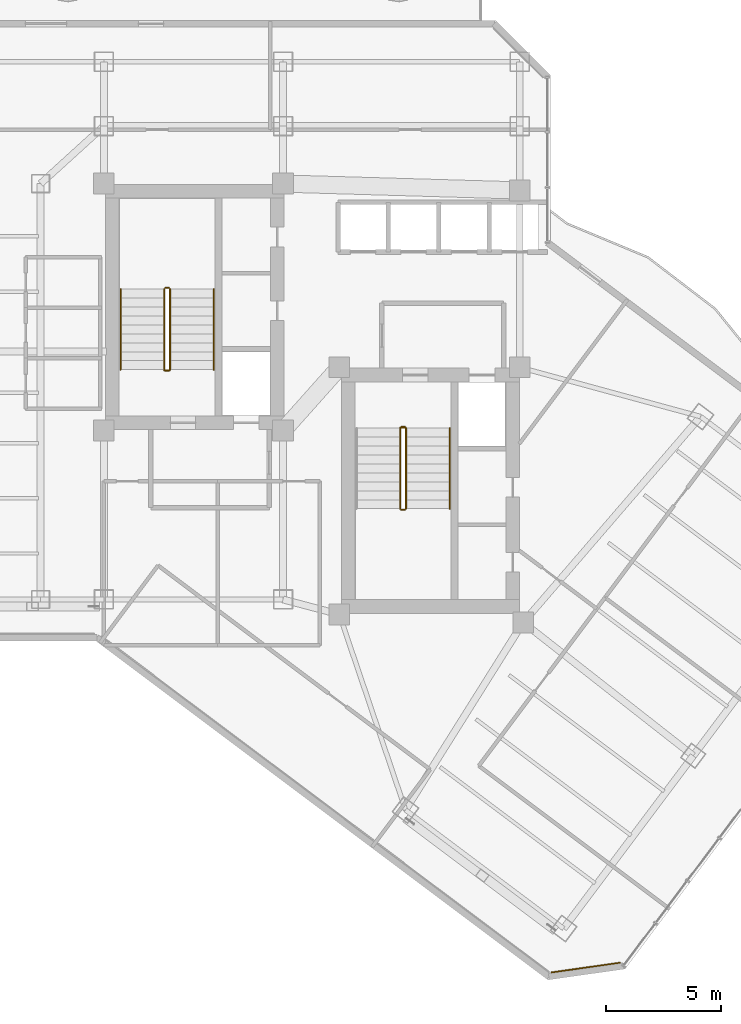
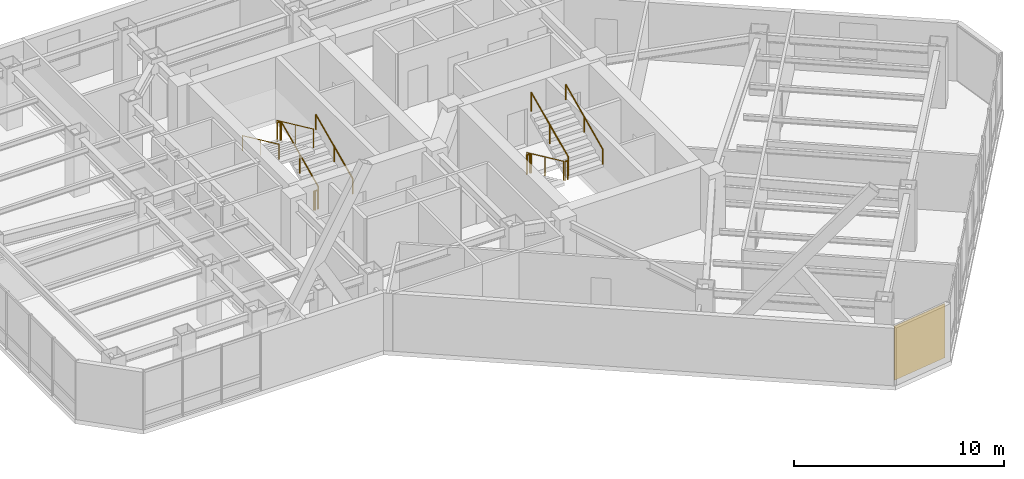
# One storey, part 26 of 27: 13 railings, 1 covering.
"""IFC4 building model written with IfcOpenShell, lengths in metres."""

import ifcopenshell
import ifcopenshell.guid

model = None  # the IFC model being written
_history = None  # IfcOwnerHistory: only IFC2X3 demands one
_inside = {}  # id of a spatial element -> (the spatial element, [elements in it])
_under = {}  # id of a project, library or spatial element -> (it, [spatial elements below it])
_declared = {}  # id of a project -> (the project, [libraries it declares])
_typed = {}  # id of a type object -> (the type object, [elements of that type])
_made_of = {}  # id of a material, layer set ... -> (it, [elements and type objects made of it])


def new_model(schema):
    """Start an empty IFC model of exactly this schema.

    Asked for "IFC4X3", IfcOpenShell would pick the latest addendum, in which some entities
    have other attributes; the version numbers below select the first issue.
    IFC2X3 requires an IfcOwnerHistory on every rooted entity: one is made here for all.
    """
    global model, _history
    if schema == "IFC4X3":
        model = ifcopenshell.file(schema_version=(4, 3, 0, 0))
    else:
        model = ifcopenshell.file(schema=schema)
    _inside.clear()
    _under.clear()
    _declared.clear()
    _typed.clear()
    _made_of.clear()
    _history = None
    if model.schema == "IFC2X3":
        org = make("IfcOrganization", Name="unknown")
        user = make(
            "IfcPersonAndOrganization",
            ThePerson=make("IfcPerson", FamilyName="unknown"),
            TheOrganization=org,
        )
        app = make(
            "IfcApplication",
            ApplicationDeveloper=org,
            Version="unknown",
            ApplicationFullName="unknown",
            ApplicationIdentifier="unknown",
        )
        _history = make(
            "IfcOwnerHistory",
            OwningUser=user,
            OwningApplication=app,
            ChangeAction="ADDED",
            CreationDate=0,
        )
    return model


def make(cls, **values):
    """One entity of the class cls with the attributes given. An attribute that is None is left unset."""
    return model.create_entity(
        cls, **{name: value for name, value in values.items() if value is not None}
    )


def rooted(cls, **values):
    """An entity with a GlobalId (a new one), such as an element, a storey or a relation."""
    return make(cls, GlobalId=ifcopenshell.guid.new(), OwnerHistory=_history, **values)


def si_unit(unit_type, name, prefix=None):
    """IfcSIUnit, for example si_unit("LENGTHUNIT", "METRE", prefix="MILLI")."""
    return make("IfcSIUnit", UnitType=unit_type, Prefix=prefix, Name=name)


def assignment(units):
    """IfcUnitAssignment: the units of a project."""
    return None if units is None else make("IfcUnitAssignment", Units=units)


def point(xyz):
    """IfcCartesianPoint."""
    return None if xyz is None else make("IfcCartesianPoint", Coordinates=xyz)


def direction(xyz):
    """IfcDirection."""
    return None if xyz is None else make("IfcDirection", DirectionRatios=xyz)


def frame(location, z_axis=None, x_axis=None):
    """IfcAxis2Placement3D, a coordinate frame: its origin and axes. An axis left out is left unset."""
    return make(
        "IfcAxis2Placement3D",
        Location=point(location),
        Axis=direction(z_axis),
        RefDirection=direction(x_axis),
    )


def frame_2d(location, x_axis=None):
    """IfcAxis2Placement2D, a coordinate frame in the plane: its origin and x axis."""
    return make(
        "IfcAxis2Placement2D", Location=point(location), RefDirection=direction(x_axis)
    )


def origin():
    """The frame at (0, 0, 0) with its axes left unset."""
    return frame((0.0, 0.0, 0.0))


def origin_2d():
    """The frame at (0, 0) in the plane with its x axis left unset."""
    return frame_2d((0.0, 0.0))


def place(relative_to, where):
    """IfcLocalPlacement: puts the frame where relative to a parent placement (None: the world)."""
    return make(
        "IfcLocalPlacement", PlacementRelTo=relative_to, RelativePlacement=where
    )


def context(
    kind, dimensions, precision=None, world=None, true_north=None, identifier=None
):
    """IfcGeometricRepresentationContext, for example the 3D "Model" context."""
    return make(
        "IfcGeometricRepresentationContext",
        ContextIdentifier=identifier,
        ContextType=kind,
        CoordinateSpaceDimension=dimensions,
        Precision=precision,
        WorldCoordinateSystem=world,
        TrueNorth=true_north,
    )


def subcontext(parent, identifier, kind, view, scale=None):
    """IfcGeometricRepresentationSubContext, for example "Body" below "Model"."""
    return make(
        "IfcGeometricRepresentationSubContext",
        ContextIdentifier=identifier,
        ContextType=kind,
        ParentContext=parent,
        TargetScale=scale,
        TargetView=view,
    )


def project(units=None, contexts=None):
    """IfcProject with its units and contexts."""
    return rooted(
        "IfcProject",
        Name="project",
        RepresentationContexts=contexts,
        UnitsInContext=assignment(units),
    )


def spatial(cls, under=None, at=None, **own):
    """A site, building, storey or space (cls), placed at a placement, below another one or the project."""
    s = rooted(cls, ObjectPlacement=at, **own)
    if under is not None:
        _under.setdefault(under.id(), (under, []))[1].append(s)
    return s


def profile(cls, at=None, kind="AREA", **sizes):
    """A parametric profile (cls). Its sizes go by their IFC names, for example OverallWidth=200.0."""
    return make(cls, ProfileType=kind, Position=at, **sizes)


def rectangle(**sizes):
    """IfcRectangleProfileDef."""
    return profile("IfcRectangleProfileDef", **sizes)


def circle(**sizes):
    """IfcCircleProfileDef."""
    return profile("IfcCircleProfileDef", **sizes)


def extrude(swept, where, along, depth):
    """IfcExtrudedAreaSolid: the profile swept, set in the frame where, extruded along a direction by depth."""
    return make(
        "IfcExtrudedAreaSolid",
        SweptArea=swept,
        Position=where,
        ExtrudedDirection=direction(along),
        Depth=depth,
    )


def shape(context_of_items, identifier, shape_type, items):
    """IfcShapeRepresentation: the items that make up one representation, for example the "Body"."""
    return make(
        "IfcShapeRepresentation",
        ContextOfItems=context_of_items,
        RepresentationIdentifier=identifier,
        RepresentationType=shape_type,
        Items=items,
    )


def material(Name=None, Category=None):
    """IfcMaterial."""
    return make("IfcMaterial", Name=Name, Category=Category)


def layer(
    of_material, thickness, ventilated=None, Name=None, Category=None, Priority=None
):
    """IfcMaterialLayer: one layer of a wall or slab, of a material (None: an air gap)."""
    return make(
        "IfcMaterialLayer",
        Material=of_material,
        LayerThickness=thickness,
        IsVentilated=ventilated,
        Name=Name,
        Category=Category,
        Priority=Priority,
    )


def layer_set(layers, Name=None):
    """IfcMaterialLayerSet."""
    return make("IfcMaterialLayerSet", MaterialLayers=layers, LayerSetName=Name)


def made_of(thing, what):
    """Note that an element or type object is made of a material, layer set ...; save() writes the relation."""
    if what is not None:
        _made_of.setdefault(what.id(), (what, []))[1].append(thing)
    return thing


def type_object(cls, material=None, **own):
    """A type object (cls), such as IfcWallType, which elements share."""
    return made_of(rooted(cls, **own), material)


def element(
    cls,
    number,
    at=None,
    inside=None,
    cuts=None,
    type_object=None,
    material=None,
    context=None,
    identifier="Body",
    shape_type=None,
    held_by="IfcProductDefinitionShape",
    body=None,
    shapes=None,
    **own,
):
    """One element of the class cls, such as IfcWall. Its Tag is "e" and its number.

    at: its placement. inside: the storey or other place that contains it. cuts: it is an
    opening in that element (IfcRelVoidsElement). A single representation is given by context,
    identifier, shape_type and body (its items); several are given by shapes. held_by: the class
    of the entity that holds the representations. save() writes the other relations.
    """
    e = rooted(cls, Tag="e%d" % number, ObjectPlacement=at, **own)
    if body is not None:
        shapes = [shape(context, identifier, shape_type, body)]
    if shapes is not None:
        e.Representation = make(held_by, Representations=shapes)
    if inside is not None:
        _inside.setdefault(inside.id(), (inside, []))[1].append(e)
    if cuts is not None:
        rooted(
            "IfcRelVoidsElement", RelatingBuildingElement=cuts, RelatedOpeningElement=e
        )
    if type_object is not None:
        _typed.setdefault(type_object.id(), (type_object, []))[1].append(e)
    return made_of(e, material)


def aggregate(whole, parts):
    """IfcRelAggregates: a whole, such as a stair, and the parts it consists of."""
    return rooted("IfcRelAggregates", RelatingObject=whole, RelatedObjects=parts)


def save(model, path):
    """Write the relations noted so far, then the file.

    IfcRelAggregates (storeys below a building ...), IfcRelContainedInSpatialStructure (elements
    in a storey), IfcRelDefinesByType, IfcRelAssociatesMaterial and IfcRelDeclares: one each for
    every whole, place, type object, material and project.
    """
    for whole, parts in _under.values():
        aggregate(whole, parts)
    for where, things in _inside.values():
        rooted(
            "IfcRelContainedInSpatialStructure",
            RelatedElements=things,
            RelatingStructure=where,
        )
    for kind, things in _typed.values():
        rooted("IfcRelDefinesByType", RelatedObjects=things, RelatingType=kind)
    for what, things in _made_of.values():
        rooted("IfcRelAssociatesMaterial", RelatedObjects=things, RelatingMaterial=what)
    for by, libraries in _declared.values():
        rooted("IfcRelDeclares", RelatingContext=by, RelatedDefinitions=libraries)
    model.write(path)


model = new_model("IFC4")

# Units and contexts
model_context = context("Model", 3, precision=1e-05, world=origin(), true_north=direction((0.0, 1.0)))
body_context = subcontext(model_context, "Body", "Model", "MODEL_VIEW")
ifc_project = project(units=[si_unit("LENGTHUNIT", "METRE"), si_unit("AREAUNIT", "SQUARE_METRE"), si_unit("VOLUMEUNIT", "CUBIC_METRE"), si_unit("PLANEANGLEUNIT", "RADIAN"), si_unit("MASSUNIT", "GRAM", prefix="KILO")], contexts=[model_context])

# Site, building, storey
site_placement = place(None, origin())
site = spatial("IfcSite", under=ifc_project, at=site_placement, CompositionType="ELEMENT")
building_placement = place(site_placement, origin())
building = spatial("IfcBuilding", under=site, at=building_placement, Name="Hatsunagi Terrace Concourse", CompositionType="ELEMENT")
storey_placement = place(building_placement, frame((0.0, 0.0, 156.449951171875)))
storey = spatial("IfcBuildingStorey", under=building, at=storey_placement, Name="L41", CompositionType="ELEMENT", Elevation=156.449951171875)

# Railings
ifc_material_1 = material(Name="Stainless steel", Category="steel")
ifc_layer_1 = layer(ifc_material_1, 0.044921875)
ifc_layer_set_1 = layer_set([ifc_layer_1], Name="StairPitchHandrail_Tower2000")
railing_type_1 = type_object("IfcRailingType", Name="StairPitchHandrail_Tower2000", PredefinedType="HANDRAIL", material=ifc_layer_set_1)
railing_1_placement = place(storey_placement, frame((30.330078125, 35.199951171875, 0.179931640625)))
element("IfcRailing", 1, at=railing_1_placement, inside=storey, type_object=railing_type_1, Name="L41 ST-A stair handrail 1", PredefinedType="HANDRAIL", context=body_context, shape_type="SweptSolid", body=[
    extrude(circle(Radius=0.02392578125, at=origin_2d()), frame((0.0, 0.0, 0.8759765625), z_axis=(0.0, 0.907948293929, 0.419082206198), x_axis=(-1.0, 0.0, 0.0)), (0.0, 0.0, 1.0), 3.865966796875),
    extrude(circle(Radius=0.02099609375, at=origin_2d()), origin(), (0.0, 0.0, 1.0), 0.851806640625),
    extrude(circle(Radius=0.02099609375, at=origin_2d()), frame((0.0, 1.7548828125, 0.81005859375)), (0.0, 0.0, 1.0), 0.851806640625),
    extrude(circle(Radius=0.02099609375, at=origin_2d()), frame((0.0, 3.510009765625, 1.6201171875)), (0.0, 0.0, 1.0), 0.851806640625),
])
railing_2_placement = place(storey_placement, frame((26.280029296875, 38.7099609375, 1.97998046875)))
element("IfcRailing", 2, at=railing_2_placement, inside=storey, type_object=railing_type_1, Name="L41 ST-A stair handrail 2", PredefinedType="HANDRAIL", context=body_context, shape_type="SweptSolid", body=[
    extrude(circle(Radius=0.02392578125, at=origin_2d()), frame((0.0, 0.0, 0.8759765625), z_axis=(0.0, -0.907948293929, 0.419082206198), x_axis=(1.0, 0.0, 0.0)), (0.0, 0.0, 1.0), 3.865966796875),
    extrude(circle(Radius=0.02099609375, at=origin_2d()), origin(), (0.0, 0.0, 1.0), 0.851806640625),
    extrude(circle(Radius=0.02099609375, at=origin_2d()), frame((0.0, -1.7548828125, 0.81005859375)), (0.0, 0.0, 1.0), 0.851806640625),
    extrude(circle(Radius=0.02099609375, at=origin_2d()), frame((0.0, -3.510009765625, 1.6201171875)), (0.0, 0.0, 1.0), 0.851806640625),
])
railing_3_placement = place(storey_placement, frame((40.60009765625, 29.14990234375, 1.97998046875)))
element("IfcRailing", 3, at=railing_3_placement, inside=storey, type_object=railing_type_1, Name="L41 ST-B stair handrail 2", PredefinedType="HANDRAIL", context=body_context, shape_type="SweptSolid", body=[
    extrude(circle(Radius=0.02392578125, at=origin_2d()), frame((0.0, 0.0, 0.8759765625), z_axis=(0.0, 0.907948293929, 0.419082206198), x_axis=(-1.0, 0.0, 0.0)), (0.0, 0.0, 1.0), 3.865966796875),
    extrude(circle(Radius=0.02099609375, at=origin_2d()), origin(), (0.0, 0.0, 1.0), 0.851806640625),
    extrude(circle(Radius=0.02099609375, at=origin_2d()), frame((0.0, 1.7548828125, 0.81005859375)), (0.0, 0.0, 1.0), 0.851806640625),
    extrude(circle(Radius=0.02099609375, at=origin_2d()), frame((0.0, 3.510009765625, 1.6201171875)), (0.0, 0.0, 1.0), 0.851806640625),
])
ifc_material_2 = material(Name="Stainless steel", Category="steel")
ifc_layer_2 = layer(ifc_material_2, 0.06005859375)
ifc_layer_set_2 = layer_set([ifc_layer_2], Name="StairWellGuard_Tower2000")
railing_type_2 = type_object("IfcRailingType", Name="StairWellGuard_Tower2000", PredefinedType="BALUSTRADE", material=ifc_layer_set_2)
railing_4_placement = place(storey_placement, frame((28.429931640625, 35.199951171875, 0.179931640625)))
element("IfcRailing", 4, at=railing_4_placement, inside=storey, type_object=railing_type_2, Name="L41 ST-A stair guard 1", PredefinedType="BALUSTRADE", context=body_context, shape_type="SweptSolid", body=[
    extrude(circle(Radius=0.02392578125, at=origin_2d()), frame((0.0, 0.0, 1.09619140625), z_axis=(0.0, 0.907948293929, 0.419082206198), x_axis=(-1.0, 0.0, 0.0)), (0.0, 0.0, 1.0), 3.865966796875),
    extrude(circle(Radius=0.02099609375, at=origin_2d()), origin(), (0.0, 0.0, 1.0), 1.072021484375),
    extrude(circle(Radius=0.02099609375, at=origin_2d()), frame((0.0, 1.7548828125, 0.81005859375)), (0.0, 0.0, 1.0), 1.072021484375),
    extrude(circle(Radius=0.02099609375, at=origin_2d()), frame((0.0, 3.510009765625, 1.6201171875)), (0.0, 0.0, 1.0), 1.072021484375),
])
railing_5_placement = place(storey_placement, frame((28.3798828125, 38.760009765625, 1.800048828125)))
element("IfcRailing", 5, at=railing_5_placement, inside=storey, type_object=railing_type_2, Name="L41 ST-A stair guard 2", PredefinedType="BALUSTRADE", context=body_context, shape_type="SweptSolid", body=[
    extrude(circle(Radius=0.02392578125, at=origin_2d()), frame((0.0, 0.0, 1.09619140625), z_axis=(-1.0, 0.0, 0.0), x_axis=(0.0, -1.0, 0.0)), (0.0, 0.0, 1.0), 0.14990234375),
    extrude(circle(Radius=0.02099609375, at=origin_2d()), origin(), (0.0, 0.0, 1.0), 1.072021484375),
    extrude(circle(Radius=0.02099609375, at=origin_2d()), frame((-0.14990234375, 0.0, 0.0)), (0.0, 0.0, 1.0), 1.072021484375),
])
railing_6_placement = place(storey_placement, frame((28.179931640625, 38.7099609375, 1.97998046875)))
element("IfcRailing", 6, at=railing_6_placement, inside=storey, type_object=railing_type_2, Name="L41 ST-A stair guard 3", PredefinedType="BALUSTRADE", context=body_context, shape_type="SweptSolid", body=[
    extrude(circle(Radius=0.02392578125, at=origin_2d()), frame((0.0, 0.0, 1.09619140625), z_axis=(0.0, -0.907948293929, 0.419082206198), x_axis=(1.0, 0.0, 0.0)), (0.0, 0.0, 1.0), 3.865966796875),
    extrude(circle(Radius=0.02099609375, at=origin_2d()), origin(), (0.0, 0.0, 1.0), 1.072021484375),
    extrude(circle(Radius=0.02099609375, at=origin_2d()), frame((0.0, -1.7548828125, 0.81005859375)), (0.0, 0.0, 1.0), 1.072021484375),
    extrude(circle(Radius=0.02099609375, at=origin_2d()), frame((0.0, -3.510009765625, 1.6201171875)), (0.0, 0.0, 1.0), 1.072021484375),
])
railing_7_placement = place(storey_placement, frame((28.3798828125, 35.14990234375, 0.0)))
element("IfcRailing", 7, at=railing_7_placement, inside=storey, type_object=railing_type_2, Name="L41 ST-A stair guard 4", PredefinedType="BALUSTRADE", context=body_context, shape_type="SweptSolid", body=[
    extrude(circle(Radius=0.02392578125, at=origin_2d()), frame((0.0, 0.0, 1.09619140625), z_axis=(-1.0, 0.0, 0.0), x_axis=(0.0, -1.0, 0.0)), (0.0, 0.0, 1.0), 0.14990234375),
    extrude(circle(Radius=0.02099609375, at=origin_2d()), origin(), (0.0, 0.0, 1.0), 1.072021484375),
    extrude(circle(Radius=0.02099609375, at=origin_2d()), frame((-0.14990234375, 0.0, 0.0)), (0.0, 0.0, 1.0), 1.072021484375),
])
railing_8_placement = place(storey_placement, frame((38.449951171875, 32.659912109375, 0.179931640625)))
element("IfcRailing", 8, at=railing_8_placement, inside=storey, type_object=railing_type_2, Name="L41 ST-B stair guard 1", PredefinedType="BALUSTRADE", context=body_context, shape_type="SweptSolid", body=[
    extrude(circle(Radius=0.02392578125, at=origin_2d()), frame((0.0, 0.0, 1.09619140625), z_axis=(0.0, -0.907948293929, 0.419082206198), x_axis=(1.0, 0.0, 0.0)), (0.0, 0.0, 1.0), 3.865966796875),
    extrude(circle(Radius=0.02099609375, at=origin_2d()), origin(), (0.0, 0.0, 1.0), 1.072021484375),
    extrude(circle(Radius=0.02099609375, at=origin_2d()), frame((0.0, -1.7548828125, 0.81005859375)), (0.0, 0.0, 1.0), 1.072021484375),
    extrude(circle(Radius=0.02099609375, at=origin_2d()), frame((0.0, -3.510009765625, 1.6201171875)), (0.0, 0.0, 1.0), 1.072021484375),
])
railing_9_placement = place(storey_placement, frame((38.5, 29.10009765625, 1.800048828125)))
element("IfcRailing", 9, at=railing_9_placement, inside=storey, type_object=railing_type_2, Name="L41 ST-B stair guard 2", PredefinedType="BALUSTRADE", context=body_context, shape_type="SweptSolid", body=[
    extrude(circle(Radius=0.02392578125, at=origin_2d()), frame((0.0, 0.0, 1.09619140625), z_axis=(1.0, 0.0, 0.0), x_axis=(0.0, 1.0, 0.0)), (0.0, 0.0, 1.0), 0.14990234375),
    extrude(circle(Radius=0.02099609375, at=origin_2d()), origin(), (0.0, 0.0, 1.0), 1.072021484375),
    extrude(circle(Radius=0.02099609375, at=origin_2d()), frame((0.14990234375, 0.0, 0.0)), (0.0, 0.0, 1.0), 1.072021484375),
])
railing_10_placement = place(storey_placement, frame((38.699951171875, 29.14990234375, 1.97998046875)))
element("IfcRailing", 10, at=railing_10_placement, inside=storey, type_object=railing_type_2, Name="L41 ST-B stair guard 3", PredefinedType="BALUSTRADE", context=body_context, shape_type="SweptSolid", body=[
    extrude(circle(Radius=0.02392578125, at=origin_2d()), frame((0.0, 0.0, 1.09619140625), z_axis=(0.0, 0.907948293929, 0.419082206198), x_axis=(-1.0, 0.0, 0.0)), (0.0, 0.0, 1.0), 3.865966796875),
    extrude(circle(Radius=0.02099609375, at=origin_2d()), origin(), (0.0, 0.0, 1.0), 1.072021484375),
    extrude(circle(Radius=0.02099609375, at=origin_2d()), frame((0.0, 1.7548828125, 0.81005859375)), (0.0, 0.0, 1.0), 1.072021484375),
    extrude(circle(Radius=0.02099609375, at=origin_2d()), frame((0.0, 3.510009765625, 1.6201171875)), (0.0, 0.0, 1.0), 1.072021484375),
])
railing_11_placement = place(storey_placement, frame((38.5, 32.7099609375, 0.0)))
element("IfcRailing", 11, at=railing_11_placement, inside=storey, type_object=railing_type_2, Name="L41 ST-B stair guard 4", PredefinedType="BALUSTRADE", context=body_context, shape_type="SweptSolid", body=[
    extrude(circle(Radius=0.02392578125, at=origin_2d()), frame((0.0, 0.0, 1.09619140625), z_axis=(1.0, 0.0, 0.0), x_axis=(0.0, 1.0, 0.0)), (0.0, 0.0, 1.0), 0.14990234375),
    extrude(circle(Radius=0.02099609375, at=origin_2d()), origin(), (0.0, 0.0, 1.0), 1.072021484375),
    extrude(circle(Radius=0.02099609375, at=origin_2d()), frame((0.14990234375, 0.0, 0.0)), (0.0, 0.0, 1.0), 1.072021484375),
])
ifc_material_3 = material(Name="Stainless Steel SUS316 Post-and-Rail Guard", Category="steel")
ifc_layer_3 = layer(ifc_material_3, 0.080078125)
ifc_layer_set_3 = layer_set([ifc_layer_3], Name="TerracePlantedGuardRail_1200")
railing_type_3 = type_object("IfcRailingType", Name="TerracePlantedGuardRail_1200", PredefinedType="GUARDRAIL", material=ifc_layer_set_3)
for number, where, name in (
    (12, (28.179931640625, 35.179931640625, 0.0), "Stair ST-A Well Closure Guard L41"),
    (13, (38.449951171875, 32.679931640625, 0.0), "Stair ST-B Well Closure Guard L41"),
):
    element("IfcRailing", number, at=place(storey_placement, frame(where)), inside=storey, type_object=railing_type_3, Name=name, PredefinedType="GUARDRAIL", context=body_context, shape_type="SweptSolid", body=[
        extrude(circle(Radius=0.02392578125, at=origin_2d()), frame((0.0, 0.0, 1.09619140625), z_axis=(1.0, 0.0, 0.0), x_axis=(0.0, 1.0, 0.0)), (0.0, 0.0, 1.0), 0.25),
        extrude(circle(Radius=0.02099609375, at=origin_2d()), origin(), (0.0, 0.0, 1.0), 1.072021484375),
        extrude(circle(Radius=0.02099609375, at=origin_2d()), frame((0.25, 0.0, 0.0)), (0.0, 0.0, 1.0), 1.072021484375),
    ])

# Covering
ifc_material_4 = material(Name="Unglazed Warm Terracotta Rainscreen Tile", Category="masonry")
ifc_layer_4 = layer(ifc_material_4, 0.044921875)
ifc_layer_set_4 = layer_set([ifc_layer_4], Name="TerracottaRainscreenCladding_45")
covering_type = type_object("IfcCoveringType", Name="TerracottaRainscreenCladding_45", PredefinedType="CLADDING", material=ifc_layer_set_4)
covering_placement = place(storey_placement, frame((46.51806640625, 9.178955078125, 0.10009765625), z_axis=(0.0, 0.0, 1.0), x_axis=(-0.989973920543, -0.141250262458, 0.0)))
element("IfcCovering", 14, at=covering_placement, inside=storey, type_object=covering_type, Name="Terracotta Rainscreen Cladding L41-04", PredefinedType="CLADDING", context=body_context, shape_type="SweptSolid", body=[
    extrude(rectangle(XDim=3.0380859375, YDim=0.044921875, at=origin_2d()), origin(), (0.0, 0.0, 1.0), 3.14990234375),
])

save(model, "model.ifc")
